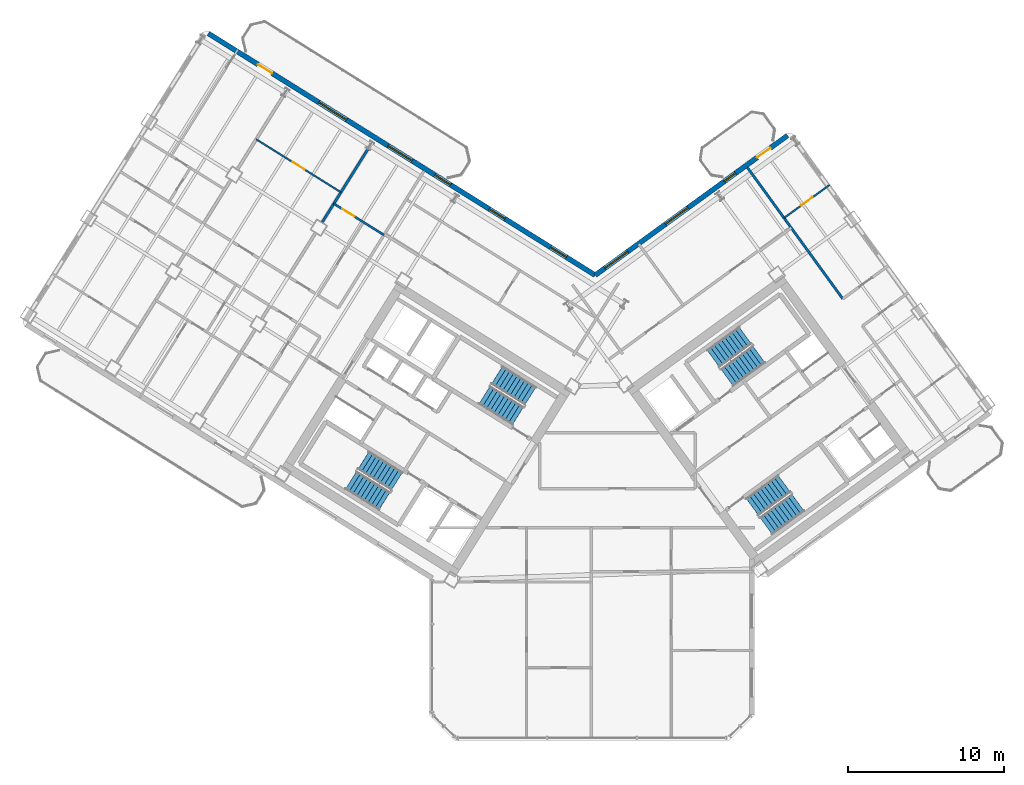
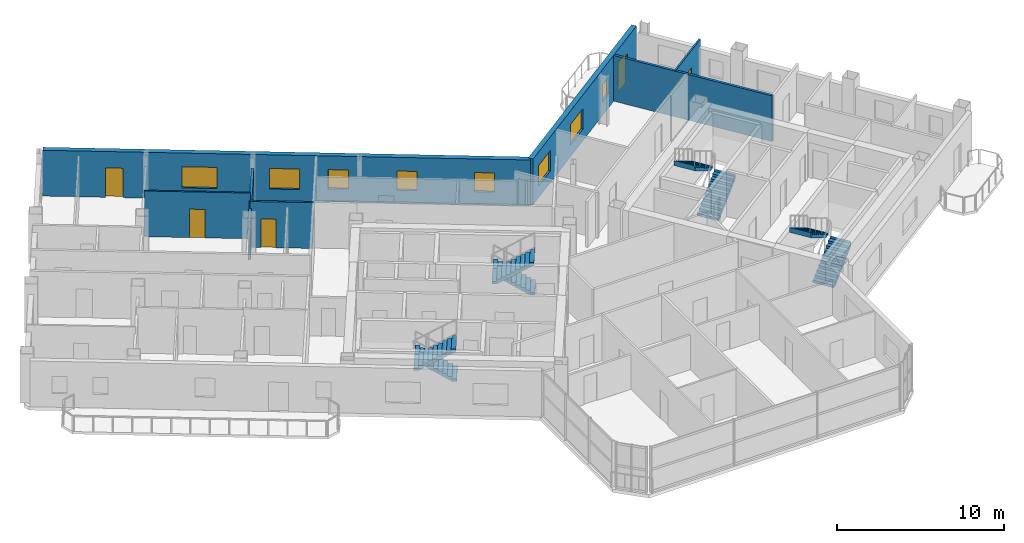
# One storey, part 16 of 20: 8 stair flights, 8 windows, 7 walls, 5 doors, 13 openings, 4 elements without a shape of their own.
"""IFC4 building model written with IfcOpenShell, lengths in metres."""

from ifc_helpers import new_model, si_unit, direction, frame, frame_2d, origin, place, context, subcontext, project, spatial, polyline, rectangle, outline, extrude, source, transform, mapped, material, layer, layer_set, type_object, element, fill, aggregate, save


model = new_model("IFC4")

# Units and contexts
model_context = context("Model", 3, precision=1e-05, world=origin(), true_north=direction((0.0, 1.0)))
body_context = subcontext(model_context, "Body", "Model", "MODEL_VIEW")
ifc_project = project(units=[si_unit("LENGTHUNIT", "METRE"), si_unit("AREAUNIT", "SQUARE_METRE"), si_unit("VOLUMEUNIT", "CUBIC_METRE"), si_unit("PLANEANGLEUNIT", "RADIAN"), si_unit("MASSUNIT", "GRAM", prefix="KILO")], contexts=[model_context])

# Site, building, storey
site_placement = place(None, origin())
site = spatial("IfcSite", under=ifc_project, at=site_placement, CompositionType="ELEMENT")
building_placement = place(site_placement, origin())
building = spatial("IfcBuilding", under=site, at=building_placement, Name="Tlacorven Tower", CompositionType="ELEMENT")
storey_placement = place(building_placement, frame((0.0, 0.0, 187.800048828125)))
storey = spatial("IfcBuildingStorey", under=building, at=storey_placement, Name="L47", CompositionType="ELEMENT", Elevation=187.800048828125)

# Walls
ifc_material_1 = material(Name="Gypsum plasterboard acoustic partition", Category="gypsum")
ifc_layer_1 = layer(ifc_material_1, 0.159912109375)
ifc_layer_set_1 = layer_set([ifc_layer_1], Name="Gypsum plasterboard acoustic partition")
wall_type_1 = type_object("IfcWallType", Name="WL-DEM-160", PredefinedType="PARTITIONING", material=ifc_layer_set_1)
wall_1_placement = place(storey_placement, frame((27.6337890625, 39.657470703125, 0.0), z_axis=(0.0, 0.0, 1.0), x_axis=(-0.529899205623, -0.848060629837, 0.0)))
element("IfcWall", 1, at=wall_1_placement, inside=storey, type_object=wall_type_1, Name="L47 WS Demising Wall 1", PredefinedType="PARTITIONING", context=body_context, shape_type="SweptSolid", body=[
    extrude(rectangle(XDim=5.501220703125, YDim=0.159912109375, at=frame_2d((2.75048828125, 0.0))), origin(), (0.0, 0.0, 1.0), 2.824951171875),
])
wall_2_placement = place(storey_placement, frame((58.06689453125, 30.080078125, 0.0), z_axis=(0.0, 0.0, 1.0), x_axis=(-0.587787785243, 0.809015154073, 0.0)))
element("IfcWall", 2, at=wall_2_placement, inside=storey, type_object=wall_type_1, Name="L47 partition 90", PredefinedType="PARTITIONING", context=body_context, shape_type="SweptSolid", body=[
    extrude(rectangle(XDim=10.400146484375, YDim=0.159912109375, at=frame_2d((5.2001953125, 0.0))), origin(), (0.0, 0.0, 1.0), 3.33984375),
])

# Wall, openings, door, windows
ifc_material_2 = material(Name="Precast concrete C45/55", Category="concrete")
ifc_layer_2 = layer(ifc_material_2, 0.320068359375)
ifc_layer_set_2 = layer_set([ifc_layer_2], Name="Precast concrete C45/55")
wall_type_2 = type_object("IfcWallType", Name="WL-EXT-320", PredefinedType="STANDARD", material=ifc_layer_set_2)
wall_3_placement = place(storey_placement, frame((17.423828125, 47.083251953125, 0.0), z_axis=(0.0, 0.0, 1.0), x_axis=(0.848049927979, -0.529916332693, 0.0)))
wall_3 = element("IfcWall", 3, at=wall_3_placement, inside=storey, type_object=wall_type_2, Name="L47 Masonry-Frame Recessed Facade Wall 3", PredefinedType="STANDARD", context=body_context, shape_type="SweptSolid", body=[
    extrude(rectangle(XDim=29.22314453125, YDim=0.320068359375, at=frame_2d((14.611572265625, 0.0))), origin(), (0.0, 0.0, 1.0), 3.349853515625),
])
opening_1_placement = place(wall_3_placement, frame((3.763671875, 0.0, 0.0)))
opening_1 = element("IfcOpeningElement", 4, at=opening_1_placement, cuts=wall_3, Name="Opening D06", PredefinedType="OPENING", context=body_context, shape_type="SweptSolid", body=[
    extrude(rectangle(XDim=1.050048828125, YDim=2.14990234375, at=frame_2d((0.52490234375, 1.074951171875))), frame((0.0, 0.169921875, 0.0), z_axis=(0.0, -1.0, 0.0), x_axis=(1.0, 0.0, 0.0)), (0.0, 0.0, 1.0), 0.340087890625),
])
opening_2_placement = place(wall_3_placement, frame((8.34375, 0.0, 0.800048828125)))
opening_2 = element("IfcOpeningElement", 5, at=opening_2_placement, cuts=wall_3, Name="Opening WN04", PredefinedType="OPENING", context=body_context, shape_type="SweptSolid", body=[
    extrude(rectangle(XDim=2.10009765625, YDim=1.550048828125, at=frame_2d((1.050048828125, 0.77490234375))), frame((0.0, 0.169921875, 0.0), z_axis=(0.0, -1.0, 0.0), x_axis=(1.0, 0.0, 0.0)), (0.0, 0.0, 1.0), 0.340087890625),
])
opening_3_placement = place(wall_3_placement, frame((13.588623046875, 0.0, 0.85009765625)))
opening_3 = element("IfcOpeningElement", 6, at=opening_3_placement, cuts=wall_3, Name="Opening WN01", PredefinedType="OPENING", context=body_context, shape_type="SweptSolid", body=[
    extrude(rectangle(XDim=1.800048828125, YDim=1.5, at=frame_2d((0.89990234375, 0.75))), frame((0.0, 0.169921875, 0.0), z_axis=(0.0, -1.0, 0.0), x_axis=(1.0, 0.0, 0.0)), (0.0, 0.0, 1.0), 0.340087890625),
])
opening_4_placement = place(wall_3_placement, frame((17.103759765625, 0.0, 0.949951171875)))
opening_4 = element("IfcOpeningElement", 7, at=opening_4_placement, cuts=wall_3, Name="Opening WN03", PredefinedType="OPENING", context=body_context, shape_type="SweptSolid", body=[
    extrude(rectangle(XDim=1.199951171875, YDim=1.39990234375, at=frame_2d((0.60009765625, 0.699951171875))), frame((0.0, 0.169921875, 0.0), z_axis=(0.0, -1.0, 0.0), x_axis=(1.0, 0.0, 0.0)), (0.0, 0.0, 1.0), 0.340087890625),
])
opening_5_placement = place(wall_3_placement, frame((21.213623046875, 0.0, 0.949951171875)))
opening_5 = element("IfcOpeningElement", 8, at=opening_5_placement, cuts=wall_3, Name="Opening WN03", PredefinedType="OPENING", context=body_context, shape_type="SweptSolid", body=[
    extrude(rectangle(XDim=1.199951171875, YDim=1.39990234375, at=frame_2d((0.60009765625, 0.699951171875))), frame((0.0, 0.169921875, 0.0), z_axis=(0.0, -1.0, 0.0), x_axis=(1.0, 0.0, 0.0)), (0.0, 0.0, 1.0), 0.340087890625),
])
opening_6_placement = place(wall_3_placement, frame((25.853271484375, 0.0, 0.949951171875)))
opening_6 = element("IfcOpeningElement", 9, at=opening_6_placement, cuts=wall_3, Name="Opening WN03", PredefinedType="OPENING", context=body_context, shape_type="SweptSolid", body=[
    extrude(rectangle(XDim=1.199951171875, YDim=1.39990234375, at=frame_2d((0.60009765625, 0.699951171875))), frame((0.0, 0.169921875, 0.0), z_axis=(0.0, -1.0, 0.0), x_axis=(1.0, 0.0, 0.0)), (0.0, 0.0, 1.0), 0.340087890625),
])
ifc_material_3 = material(Name="Powder-coated aluminium and timber door", Category="wood")
door_type_1 = type_object("IfcDoorType", Name="DR-EXT-BALC-1050", OperationType="NOTDEFINED", PredefinedType="DOOR", material=ifc_material_3)
shared_shape_1 = source(origin(), body_context, "Body", "SweptSolid", [
    extrude(rectangle(XDim=1.050048828125, YDim=2.14990234375, at=frame_2d((0.52490234375, 1.074951171875))), frame((0.0, 0.02490234375, 0.0), z_axis=(0.0, -1.0, 0.0), x_axis=(1.0, 0.0, 0.0)), (0.0, 0.0, 1.0), 0.050048828125),
])
door_1_placement = place(opening_1_placement, origin())
door_1 = element("IfcDoor", 10, at=door_1_placement, inside=storey, type_object=door_type_1, Name="L47 Outdoor Access Door BAL-L47-W-IN", OperationType="SINGLE_SWING_RIGHT", OverallHeight=2.14990234375, OverallWidth=1.050048828125, PredefinedType="DOOR", context=body_context, shape_type="MappedRepresentation", body=[
    mapped(shared_shape_1, transform((0.0, 0.0, 0.0), scale=1.0)),
])
fill(opening_1, door_1)
ifc_material_4 = material(Name="Dark solar low-E double glazing in anodised aluminium frame", Category="aluminium")
window_type_1 = type_object("IfcWindowType", Name="WN-APT-2100X1750", PartitioningType="SINGLE_PANEL", PredefinedType="WINDOW", material=ifc_material_4)
shared_shape_2 = source(origin(), body_context, "Body", "SweptSolid", [
    extrude(rectangle(XDim=2.10009765625, YDim=1.550048828125, at=frame_2d((1.050048828125, 0.77490234375))), frame((0.0, 0.030029296875, 0.0), z_axis=(0.0, -1.0, 0.0), x_axis=(1.0, 0.0, 0.0)), (0.0, 0.0, 1.0), 0.06005859375),
])
window_1_placement = place(opening_2_placement, origin())
window_1 = element("IfcWindow", 11, at=window_1_placement, inside=storey, type_object=window_type_1, Name="L47 Recessed Masonry-Frame Window L47-03.1", OverallHeight=1.550048828125, OverallWidth=2.10009765625, PartitioningType="SINGLE_PANEL", PredefinedType="WINDOW", context=body_context, shape_type="MappedRepresentation", body=[
    mapped(shared_shape_2, transform((0.0, 0.0, 0.0), scale=1.0)),
])
fill(opening_2, window_1)
window_type_2 = type_object("IfcWindowType", Name="WN-APT-1200X1500", PartitioningType="SINGLE_PANEL", PredefinedType="WINDOW", material=ifc_material_4)
shared_shape_3 = source(origin(), body_context, "Body", "SweptSolid", [
    extrude(rectangle(XDim=1.199951171875, YDim=1.39990234375, at=frame_2d((0.60009765625, 0.699951171875))), frame((0.0, 0.030029296875, 0.0), z_axis=(0.0, -1.0, 0.0), x_axis=(1.0, 0.0, 0.0)), (0.0, 0.0, 1.0), 0.06005859375),
])
window_2_placement = place(opening_4_placement, origin())
window_2 = element("IfcWindow", 12, at=window_2_placement, inside=storey, type_object=window_type_2, Name="L47 Recessed Masonry-Frame Window L47-03.3", OverallHeight=1.39990234375, OverallWidth=1.199951171875, PartitioningType="SINGLE_PANEL", PredefinedType="WINDOW", context=body_context, shape_type="MappedRepresentation", body=[
    mapped(shared_shape_3, transform((0.0, 0.0, 0.0), scale=1.0)),
])
fill(opening_4, window_2)
window_3_placement = place(opening_5_placement, origin())
window_3 = element("IfcWindow", 13, at=window_3_placement, inside=storey, type_object=window_type_2, Name="L47 Recessed Masonry-Frame Window L47-03.4", OverallHeight=1.39990234375, OverallWidth=1.199951171875, PartitioningType="SINGLE_PANEL", PredefinedType="WINDOW", context=body_context, shape_type="MappedRepresentation", body=[
    mapped(shared_shape_3, transform((0.0, 0.0, 0.0), scale=1.0)),
])
fill(opening_5, window_3)
window_4_placement = place(opening_6_placement, origin())
window_4 = element("IfcWindow", 14, at=window_4_placement, inside=storey, type_object=window_type_2, Name="L47 Recessed Masonry-Frame Window L47-03.5", OverallHeight=1.39990234375, OverallWidth=1.199951171875, PartitioningType="SINGLE_PANEL", PredefinedType="WINDOW", context=body_context, shape_type="MappedRepresentation", body=[
    mapped(shared_shape_3, transform((0.0, 0.0, 0.0), scale=1.0)),
])
fill(opening_6, window_4)
window_type_3 = type_object("IfcWindowType", Name="WN-APT-1800X1650", PartitioningType="SINGLE_PANEL", PredefinedType="WINDOW", material=ifc_material_4)
shared_shape_4 = source(origin(), body_context, "Body", "SweptSolid", [
    extrude(rectangle(XDim=1.800048828125, YDim=1.5, at=frame_2d((0.89990234375, 0.75))), frame((0.0, 0.030029296875, 0.0), z_axis=(0.0, -1.0, 0.0), x_axis=(1.0, 0.0, 0.0)), (0.0, 0.0, 1.0), 0.06005859375),
])
window_5_placement = place(opening_3_placement, origin())
window_5 = element("IfcWindow", 15, at=window_5_placement, inside=storey, type_object=window_type_3, Name="L47 Recessed Masonry-Frame Window L47-03.2", OverallHeight=1.5, OverallWidth=1.800048828125, PartitioningType="SINGLE_PANEL", PredefinedType="WINDOW", context=body_context, shape_type="MappedRepresentation", body=[
    mapped(shared_shape_4, transform((0.0, 0.0, 0.0), scale=1.0)),
])
fill(opening_3, window_5)

wall_4_placement = place(storey_placement, frame((42.20654296875, 31.597412109375, 0.0), z_axis=(0.0, 0.0, 1.0), x_axis=(0.809020333377, 0.587780656523, 0.0)))
wall_4 = element("IfcWall", 16, at=wall_4_placement, inside=storey, type_object=wall_type_2, Name="L47 Masonry-Frame Recessed Facade Wall 4", PredefinedType="STANDARD", context=body_context, shape_type="SweptSolid", body=[
    extrude(rectangle(XDim=15.222900390625, YDim=0.320068359375, at=frame_2d((7.611328125, 0.0))), origin(), (0.0, 0.0, 1.0), 3.349853515625),
])
opening_7_placement = place(wall_4_placement, frame((12.81982421875, 0.0, 0.0)))
opening_7 = element("IfcOpeningElement", 17, at=opening_7_placement, cuts=wall_4, Name="Opening D06", PredefinedType="OPENING", context=body_context, shape_type="SweptSolid", body=[
    extrude(rectangle(XDim=1.050048828125, YDim=2.14990234375, at=frame_2d((0.52490234375, 1.074951171875))), frame((0.0, 0.169921875, 0.0), z_axis=(0.0, -1.0, 0.0), x_axis=(1.0, 0.0, 0.0)), (0.0, 0.0, 1.0), 0.340087890625),
])
opening_8_placement = place(wall_4_placement, frame((0.774658203125, 0.0, 0.85009765625)))
opening_8 = element("IfcOpeningElement", 18, at=opening_8_placement, cuts=wall_4, Name="Opening WN01", PredefinedType="OPENING", context=body_context, shape_type="SweptSolid", body=[
    extrude(rectangle(XDim=1.800048828125, YDim=1.5, at=frame_2d((0.89990234375, 0.75))), frame((0.0, 0.169921875, 0.0), z_axis=(0.0, -1.0, 0.0), x_axis=(1.0, 0.0, 0.0)), (0.0, 0.0, 1.0), 0.340087890625),
])
opening_9_placement = place(wall_4_placement, frame((5.54443359375, 0.0, 0.85009765625)))
opening_9 = element("IfcOpeningElement", 19, at=opening_9_placement, cuts=wall_4, Name="Opening WN01", PredefinedType="OPENING", context=body_context, shape_type="SweptSolid", body=[
    extrude(rectangle(XDim=1.800048828125, YDim=1.5, at=frame_2d((0.89990234375, 0.75))), frame((0.0, 0.169921875, 0.0), z_axis=(0.0, -1.0, 0.0), x_axis=(1.0, 0.0, 0.0)), (0.0, 0.0, 1.0), 0.340087890625),
])
opening_10_placement = place(wall_4_placement, frame((10.219482421875, 0.0, 1.0)))
opening_10 = element("IfcOpeningElement", 20, at=opening_10_placement, cuts=wall_4, Name="Opening WN05", PredefinedType="OPENING", context=body_context, shape_type="SweptSolid", body=[
    extrude(rectangle(XDim=0.89990234375, YDim=1.25, at=frame_2d((0.449951171875, 0.625))), frame((0.0, 0.169921875, 0.0), z_axis=(0.0, -1.0, 0.0), x_axis=(1.0, 0.0, 0.0)), (0.0, 0.0, 1.0), 0.340087890625),
])
door_2_placement = place(opening_7_placement, origin())
door_2 = element("IfcDoor", 21, at=door_2_placement, inside=storey, type_object=door_type_1, Name="L47 Outdoor Access Door BAL-L47-E-IN", OperationType="SINGLE_SWING_RIGHT", OverallHeight=2.14990234375, OverallWidth=1.050048828125, PredefinedType="DOOR", context=body_context, shape_type="MappedRepresentation", body=[
    mapped(shared_shape_1, transform((0.0, 0.0, 0.0), scale=1.0)),
])
fill(opening_7, door_2)
window_6_placement = place(opening_8_placement, origin())
window_6 = element("IfcWindow", 22, at=window_6_placement, inside=storey, type_object=window_type_3, Name="L47 Recessed Masonry-Frame Window L47-04.1", OverallHeight=1.5, OverallWidth=1.800048828125, PartitioningType="SINGLE_PANEL", PredefinedType="WINDOW", context=body_context, shape_type="MappedRepresentation", body=[
    mapped(shared_shape_4, transform((0.0, 0.0, 0.0), scale=1.0)),
])
fill(opening_8, window_6)
window_7_placement = place(opening_9_placement, origin())
window_7 = element("IfcWindow", 23, at=window_7_placement, inside=storey, type_object=window_type_3, Name="L47 Recessed Masonry-Frame Window L47-04.2", OverallHeight=1.5, OverallWidth=1.800048828125, PartitioningType="SINGLE_PANEL", PredefinedType="WINDOW", context=body_context, shape_type="MappedRepresentation", body=[
    mapped(shared_shape_4, transform((0.0, 0.0, 0.0), scale=1.0)),
])
fill(opening_9, window_7)
window_type_4 = type_object("IfcWindowType", Name="WN-APT-0900X1350", PartitioningType="SINGLE_PANEL", PredefinedType="WINDOW", material=ifc_material_4)
shared_shape_5 = source(origin(), body_context, "Body", "SweptSolid", [
    extrude(rectangle(XDim=0.89990234375, YDim=1.25, at=frame_2d((0.449951171875, 0.625))), frame((0.0, 0.030029296875, 0.0), z_axis=(0.0, -1.0, 0.0), x_axis=(1.0, 0.0, 0.0)), (0.0, 0.0, 1.0), 0.06005859375),
])
window_8_placement = place(opening_10_placement, origin())
window_8 = element("IfcWindow", 24, at=window_8_placement, inside=storey, type_object=window_type_4, Name="L47 Recessed Masonry-Frame Window L47-04.3", OverallHeight=1.25, OverallWidth=0.89990234375, PartitioningType="SINGLE_PANEL", PredefinedType="WINDOW", context=body_context, shape_type="MappedRepresentation", body=[
    mapped(shared_shape_5, transform((0.0, 0.0, 0.0), scale=1.0)),
])
fill(opening_10, window_8)

# Wall, opening, door
ifc_material_5 = material(Name="Gypsum plasterboard partition", Category="gypsum")
ifc_layer_3 = layer(ifc_material_5, 0.110107421875)
ifc_layer_set_3 = layer_set([ifc_layer_3], Name="Gypsum plasterboard partition")
wall_type_3 = type_object("IfcWallType", Name="WL-INT-110", PredefinedType="PARTITIONING", material=ifc_layer_set_3)
wall_5_placement = place(storey_placement, frame((25.916259765625, 36.908935546875, 0.0), z_axis=(0.0, 0.0, 1.0), x_axis=(-0.848056163074, 0.529906354247, 0.0)))
wall_5 = element("IfcWall", 25, at=wall_5_placement, inside=storey, type_object=wall_type_3, Name="L47 partition 62", PredefinedType="PARTITIONING", context=body_context, shape_type="SweptSolid", body=[
    extrude(rectangle(XDim=6.39990234375, YDim=0.110107421875, at=frame_2d((3.199951171875, 0.0))), origin(), (0.0, 0.0, 1.0), 3.33984375),
])
opening_11_placement = place(wall_5_placement, frame((2.739990234375, 0.0, 0.0)))
opening_11 = element("IfcOpeningElement", 26, at=opening_11_placement, cuts=wall_5, Name="Opening D12", PredefinedType="OPENING", context=body_context, shape_type="SweptSolid", body=[
    extrude(rectangle(XDim=0.919921875, YDim=2.080078125, at=frame_2d((0.4599609375, 1.0400390625))), frame((0.0, 0.06494140625, 0.0), z_axis=(0.0, -1.0, 0.0), x_axis=(1.0, 0.0, 0.0)), (0.0, 0.0, 1.0), 0.130126953125),
])
door_type_2 = type_object("IfcDoorType", Name="DR-INT-ROOM-0920", OperationType="NOTDEFINED", PredefinedType="DOOR", material=ifc_material_3)
shared_shape_6 = source(origin(), body_context, "Body", "SweptSolid", [
    extrude(rectangle(XDim=0.919921875, YDim=2.080078125, at=frame_2d((0.4599609375, 1.0400390625))), frame((0.0, 0.02490234375, 0.0), z_axis=(0.0, -1.0, 0.0), x_axis=(1.0, 0.0, 0.0)), (0.0, 0.0, 1.0), 0.050048828125),
])
door_3_placement = place(opening_11_placement, origin())
door_3 = element("IfcDoor", 27, at=door_3_placement, inside=storey, type_object=door_type_2, Name="L47 door 035", OperationType="SINGLE_SWING_LEFT", OverallHeight=2.080078125, OverallWidth=0.919921875, PredefinedType="DOOR", context=body_context, shape_type="MappedRepresentation", body=[
    mapped(shared_shape_6, transform((0.0, 0.0, 0.0), scale=1.0)),
])
fill(opening_11, door_3)

wall_6_placement = place(storey_placement, frame((54.3037109375, 35.25927734375, 0.0), z_axis=(0.0, 0.0, 1.0), x_axis=(0.809005039917, 0.58780170584, 0.0)))
wall_6 = element("IfcWall", 28, at=wall_6_placement, inside=storey, type_object=wall_type_3, Name="L47 partition 94", PredefinedType="PARTITIONING", context=body_context, shape_type="SweptSolid", body=[
    extrude(rectangle(XDim=3.610107421875, YDim=0.110107421875, at=frame_2d((1.80517578125, 0.0))), origin(), (0.0, 0.0, 1.0), 3.33984375),
])
opening_12_placement = place(wall_6_placement, frame((1.344970703125, 0.0, 0.0)))
opening_12 = element("IfcOpeningElement", 29, at=opening_12_placement, cuts=wall_6, Name="Opening D12", PredefinedType="OPENING", context=body_context, shape_type="SweptSolid", body=[
    extrude(rectangle(XDim=0.919921875, YDim=2.080078125, at=frame_2d((0.4599609375, 1.0400390625))), frame((0.0, 0.06494140625, 0.0), z_axis=(0.0, -1.0, 0.0), x_axis=(1.0, 0.0, 0.0)), (0.0, 0.0, 1.0), 0.130126953125),
])
door_4_placement = place(opening_12_placement, origin())
door_4 = element("IfcDoor", 30, at=door_4_placement, inside=storey, type_object=door_type_2, Name="L47 door 059", OperationType="SINGLE_SWING_LEFT", OverallHeight=2.080078125, OverallWidth=0.919921875, PredefinedType="DOOR", context=body_context, shape_type="MappedRepresentation", body=[
    mapped(shared_shape_6, transform((0.0, 0.0, 0.0), scale=1.0)),
])
fill(opening_12, door_4)

ifc_material_6 = material(Name="Moisture-resistant gypsum plumbing wall", Category="gypsum")
ifc_layer_4 = layer(ifc_material_6, 0.139892578125)
ifc_layer_set_4 = layer_set([ifc_layer_4], Name="Moisture-resistant gypsum plumbing wall")
wall_type_4 = type_object("IfcWallType", Name="WL-PLM-140", PredefinedType="PLUMBINGWALL", material=ifc_layer_set_4)
wall_7_placement = place(storey_placement, frame((28.673583984375, 34.16943359375, 0.0), z_axis=(0.0, 0.0, 1.0), x_axis=(-0.848059820872, 0.529900500304, 0.0)))
wall_7 = element("IfcWall", 31, at=wall_7_placement, inside=storey, type_object=wall_type_4, Name="L47 partition 59", PredefinedType="PLUMBINGWALL", context=body_context, shape_type="SweptSolid", body=[
    extrude(rectangle(XDim=3.7900390625, YDim=0.139892578125, at=frame_2d((1.89501953125, 0.0))), origin(), (0.0, 0.0, 1.0), 3.33984375),
])
opening_13_placement = place(wall_7_placement, frame((2.22998046875, 0.0, 0.0)))
opening_13 = element("IfcOpeningElement", 32, at=opening_13_placement, cuts=wall_7, Name="Opening D12", PredefinedType="OPENING", context=body_context, shape_type="SweptSolid", body=[
    extrude(rectangle(XDim=0.919921875, YDim=2.080078125, at=frame_2d((0.4599609375, 1.0400390625))), frame((0.0, 0.080078125, 0.0), z_axis=(0.0, -1.0, 0.0), x_axis=(1.0, 0.0, 0.0)), (0.0, 0.0, 1.0), 0.159912109375),
])
door_5_placement = place(opening_13_placement, origin())
door_5 = element("IfcDoor", 33, at=door_5_placement, inside=storey, type_object=door_type_2, Name="L47 door 032", OperationType="SINGLE_SWING_RIGHT", OverallHeight=2.080078125, OverallWidth=0.919921875, PredefinedType="DOOR", context=body_context, shape_type="MappedRepresentation", body=[
    mapped(shared_shape_6, transform((0.0, 0.0, 0.0), scale=1.0)),
])
fill(opening_13, door_5)

# Stair, stair flights
ifc_material_7 = material(Name="Concrete C40/50", Category="concrete")
stair_type = type_object("IfcStairType", Name="ST-CORE-DLG", PredefinedType="HALF_TURN_STAIR", material=ifc_material_7)
stair_1_placement = place(storey_placement, origin())
stair_1 = element("IfcStair", 34, at=stair_1_placement, inside=storey, type_object=stair_type, Name="L47 Protected Exit Stair West 1", PredefinedType="HALF_TURN_STAIR")
stair_flight_type = type_object("IfcStairFlightType", Name="SFL-RC-1380", PredefinedType="STRAIGHT", material=ifc_material_7)
shared_shape_7 = source(origin(), body_context, "Body", "SweptSolid", [
    extrude(outline(polyline([(-0.0029296875, -0.0029296875), (-0.0029296875, 0.179931640625), (0.280029296875, 0.179931640625), (0.280029296875, 0.360107421875), (0.56005859375, 0.360107421875), (0.56005859375, 0.5400390625), (0.840087890625, 0.5400390625), (0.840087890625, 0.719970703125), (1.1201171875, 0.719970703125), (1.1201171875, 0.89990234375), (1.39990234375, 0.89990234375), (1.39990234375, 1.080078125), (1.679931640625, 1.080078125), (1.679931640625, 1.260009765625), (1.9599609375, 1.260009765625), (1.9599609375, 1.43994140625), (2.239990234375, 1.43994140625), (2.239990234375, 1.6201171875), (2.52001953125, 1.6201171875), (2.52001953125, 1.800048828125), (2.52294921875, 1.800048828125), (2.52294921875, 1.429931640625), (2.52001953125, 1.429931640625), (0.295654296875, 0.0), (0.295654296875, -0.0029296875), (-0.0029296875, -0.0029296875)])), frame((0.0, 0.68994140625, 0.0), z_axis=(0.0, -1.0, 0.0), x_axis=(1.0, 0.0, 0.0)), (0.0, 0.0, 1.0), 1.3798828125),
])
stair_flight_1_placement = place(storey_placement, frame((29.499755859375, 18.39453125, 0.0), z_axis=(0.0, 0.0, 1.0), x_axis=(-0.848048096156, 0.529919264233, 0.0)))
stair_flight_1 = element("IfcStairFlight", 35, at=stair_flight_1_placement, type_object=stair_flight_type, Name="ST-W1 flight 1", NumberOfRisers=10, NumberOfTreads=9, PredefinedType="STRAIGHT", RiserHeight=0.18, TreadLength=0.28, context=body_context, shape_type="MappedRepresentation", body=[
    mapped(shared_shape_7, transform((0.0, 0.0, 0.0), scale=1.0)),
])
stair_flight_2_placement = place(storey_placement, frame((26.56787109375, 18.4580078125, 1.800048828125), z_axis=(0.0, 0.0, 1.0), x_axis=(0.848048096156, -0.529919264233, 0.0)))
stair_flight_2 = element("IfcStairFlight", 36, at=stair_flight_2_placement, type_object=stair_flight_type, Name="ST-W1 flight 2", NumberOfRisers=10, NumberOfTreads=9, PredefinedType="STRAIGHT", RiserHeight=0.18, TreadLength=0.28, context=body_context, shape_type="MappedRepresentation", body=[
    mapped(shared_shape_7, transform((0.0, 0.0, 0.0), scale=1.0)),
])
aggregate(stair_1, [stair_flight_1, stair_flight_2])

stair_2_placement = place(storey_placement, origin())
stair_2 = element("IfcStair", 37, at=stair_2_placement, inside=storey, type_object=stair_type, Name="L47 Protected Exit Stair West 2", PredefinedType="HALF_TURN_STAIR")
stair_flight_3_placement = place(storey_placement, frame((38.051513671875, 23.852294921875, 0.0), z_axis=(0.0, 0.0, 1.0), x_axis=(-0.848048096156, 0.529919264233, 0.0)))
stair_flight_3 = element("IfcStairFlight", 38, at=stair_flight_3_placement, type_object=stair_flight_type, Name="ST-W2 flight 1", NumberOfRisers=10, NumberOfTreads=9, PredefinedType="STRAIGHT", RiserHeight=0.18, TreadLength=0.28, context=body_context, shape_type="MappedRepresentation", body=[
    mapped(shared_shape_7, transform((0.0, 0.0, 0.0), scale=1.0)),
])
stair_flight_4_placement = place(storey_placement, frame((35.119384765625, 23.91552734375, 1.800048828125), z_axis=(0.0, 0.0, 1.0), x_axis=(0.848048096156, -0.529919264233, 0.0)))
stair_flight_4 = element("IfcStairFlight", 39, at=stair_flight_4_placement, type_object=stair_flight_type, Name="ST-W2 flight 2", NumberOfRisers=10, NumberOfTreads=9, PredefinedType="STRAIGHT", RiserHeight=0.18, TreadLength=0.28, context=body_context, shape_type="MappedRepresentation", body=[
    mapped(shared_shape_7, transform((0.0, 0.0, 0.0), scale=1.0)),
])
aggregate(stair_2, [stair_flight_3, stair_flight_4])

stair_3_placement = place(storey_placement, origin())
stair_3 = element("IfcStair", 40, at=stair_3_placement, inside=storey, type_object=stair_type, Name="L47 Protected Exit Stair East 1", PredefinedType="HALF_TURN_STAIR")
stair_flight_5_placement = place(storey_placement, frame((50.6533203125, 25.0400390625, 0.0), z_axis=(0.0, 0.0, 1.0), x_axis=(0.809016994375, 0.587785252292, 0.0)))
stair_flight_5 = element("IfcStairFlight", 41, at=stair_flight_5_placement, type_object=stair_flight_type, Name="ST-E1 flight 1", NumberOfRisers=10, NumberOfTreads=9, PredefinedType="STRAIGHT", RiserHeight=0.18, TreadLength=0.28, context=body_context, shape_type="MappedRepresentation", body=[
    mapped(shared_shape_7, transform((0.0, 0.0, 0.0), scale=1.0)),
])
stair_flight_6_placement = place(storey_placement, frame((51.810546875, 27.734619140625, 1.800048828125), z_axis=(0.0, 0.0, 1.0), x_axis=(-0.809016994375, -0.587785252292, 0.0)))
stair_flight_6 = element("IfcStairFlight", 42, at=stair_flight_6_placement, type_object=stair_flight_type, Name="ST-E1 flight 2", NumberOfRisers=10, NumberOfTreads=9, PredefinedType="STRAIGHT", RiserHeight=0.18, TreadLength=0.28, context=body_context, shape_type="MappedRepresentation", body=[
    mapped(shared_shape_7, transform((0.0, 0.0, 0.0), scale=1.0)),
])
aggregate(stair_3, [stair_flight_5, stair_flight_6])

stair_4_placement = place(storey_placement, origin())
stair_4 = element("IfcStair", 43, at=stair_4_placement, inside=storey, type_object=stair_type, Name="L47 Protected Exit Stair East 2", PredefinedType="HALF_TURN_STAIR")
stair_flight_7_placement = place(storey_placement, frame((53.157470703125, 15.536865234375, 0.0), z_axis=(0.0, 0.0, 1.0), x_axis=(0.809016994375, 0.587785252292, 0.0)))
stair_flight_7 = element("IfcStairFlight", 44, at=stair_flight_7_placement, type_object=stair_flight_type, Name="ST-E2 flight 1", NumberOfRisers=10, NumberOfTreads=9, PredefinedType="STRAIGHT", RiserHeight=0.18, TreadLength=0.28, context=body_context, shape_type="MappedRepresentation", body=[
    mapped(shared_shape_7, transform((0.0, 0.0, 0.0), scale=1.0)),
])
stair_flight_8_placement = place(storey_placement, frame((54.314453125, 18.231689453125, 1.800048828125), z_axis=(0.0, 0.0, 1.0), x_axis=(-0.809016994375, -0.587785252292, 0.0)))
stair_flight_8 = element("IfcStairFlight", 45, at=stair_flight_8_placement, type_object=stair_flight_type, Name="ST-E2 flight 2", NumberOfRisers=10, NumberOfTreads=9, PredefinedType="STRAIGHT", RiserHeight=0.18, TreadLength=0.28, context=body_context, shape_type="MappedRepresentation", body=[
    mapped(shared_shape_7, transform((0.0, 0.0, 0.0), scale=1.0)),
])
aggregate(stair_4, [stair_flight_7, stair_flight_8])

save(model, "model.ifc")
